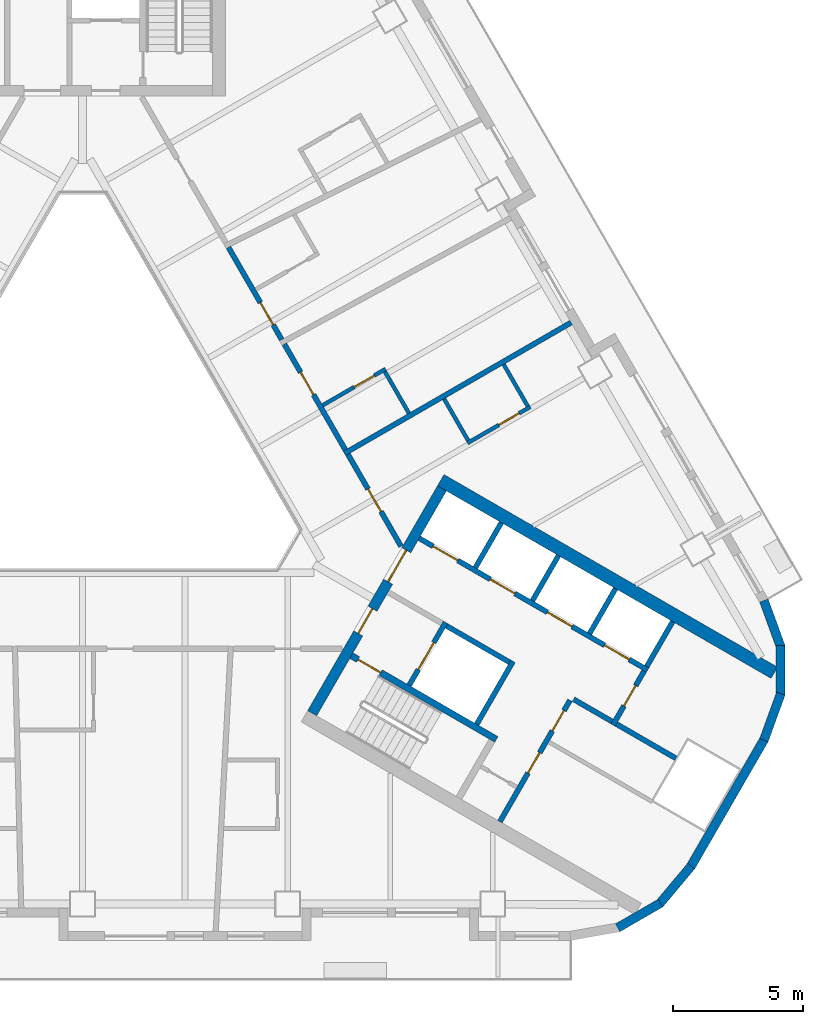
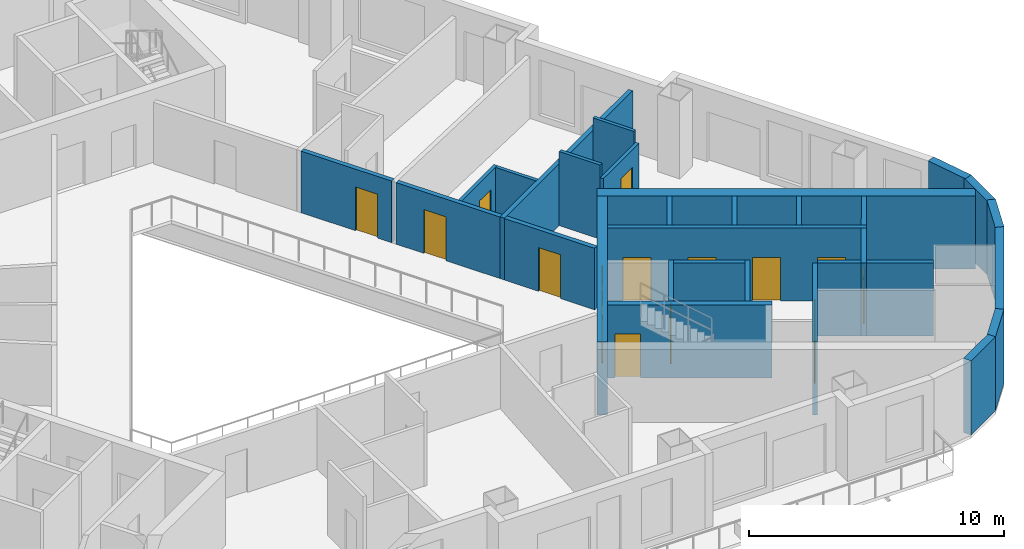
# One storey, part 5 of 13: 30 walls, 16 doors, 16 openings.
"""IFC4 building model written with IfcOpenShell, lengths in metres."""

from ifc_helpers import new_model, si_unit, direction, frame, frame_2d, origin, place, context, subcontext, project, spatial, rectangle, extrude, material, layer, layer_set, type_object, element, fill, save


model = new_model("IFC4")

# Units and contexts
model_context = context("Model", 3, precision=1e-05, world=origin(), true_north=direction((0.0, 1.0)))
body_context = subcontext(model_context, "Body", "Model", "MODEL_VIEW")
ifc_project = project(units=[si_unit("LENGTHUNIT", "METRE"), si_unit("AREAUNIT", "SQUARE_METRE"), si_unit("VOLUMEUNIT", "CUBIC_METRE"), si_unit("PLANEANGLEUNIT", "RADIAN"), si_unit("MASSUNIT", "GRAM", prefix="KILO")], contexts=[model_context])

# Site, building, storey
site_placement = place(None, origin())
site = spatial("IfcSite", under=ifc_project, at=site_placement, CompositionType="ELEMENT")
building_placement = place(site_placement, origin())
building = spatial("IfcBuilding", under=site, at=building_placement, Name="Apuvela Tower Hotel", CompositionType="ELEMENT")
storey_placement = place(building_placement, frame((0.0, 0.0, 79.800048828125)))
storey = spatial("IfcBuildingStorey", under=building, at=storey_placement, Name="L17", CompositionType="ELEMENT", Elevation=79.800048828125)

# Wall, openings, doors
ifc_material_1 = material(Name="Concrete C50/60", Category="concrete")
ifc_layer_1 = layer(ifc_material_1, 0.39990234375)
ifc_layer_set_1 = layer_set([ifc_layer_1], Name="COR-WALL-CORE-400")
wall_type_1 = type_object("IfcWallType", Name="COR-WALL-CORE-400", PredefinedType="SHEAR", material=ifc_layer_set_1)
wall_1_placement = place(storey_placement, frame((8.844970703125, -10.880126953125, 0.0), z_axis=(0.0, 0.0, 1.0), x_axis=(0.500004234368, 0.866022959057, 0.0)))
wall_1 = element("IfcWall", 1, at=wall_1_placement, inside=storey, type_object=wall_type_1, Name="Core wall SE", PredefinedType="SHEAR", context=body_context, shape_type="SweptSolid", body=[
    extrude(rectangle(XDim=10.0, YDim=0.39990234375, at=frame_2d((5.0, 0.0))), origin(), (0.0, 0.0, 1.0), 3.5),
])
opening_1_placement = place(wall_1_placement, frame((3.550048828125, 0.0, 0.0)))
opening_1 = element("IfcOpeningElement", 2, at=opening_1_placement, cuts=wall_1, Name="Opening E-FD", PredefinedType="OPENING", context=body_context, shape_type="SweptSolid", body=[
    extrude(rectangle(XDim=1.10009765625, YDim=2.10009765625, at=frame_2d((0.550048828125, 1.050048828125))), frame((0.0, 0.2099609375, 0.0), z_axis=(0.0, -1.0, 0.0), x_axis=(1.0, 0.0, 0.0)), (0.0, 0.0, 1.0), 0.419921875),
])
opening_2_placement = place(wall_1_placement, frame((5.85009765625, 0.0, 0.0)))
opening_2 = element("IfcOpeningElement", 3, at=opening_2_placement, cuts=wall_1, Name="Opening E-GD", PredefinedType="OPENING", context=body_context, shape_type="SweptSolid", body=[
    extrude(rectangle(XDim=1.39990234375, YDim=2.10009765625, at=frame_2d((0.699951171875, 1.050048828125))), frame((0.0, 0.2099609375, 0.0), z_axis=(0.0, -1.0, 0.0), x_axis=(1.0, 0.0, 0.0)), (0.0, 0.0, 1.0), 0.419921875),
])
ifc_material_2 = material(Name="Steel fire door, powder coated", Category="steel")
door_type_1 = type_object("IfcDoorType", Name="COR-FD-1100", OperationType="NOTDEFINED", PredefinedType="DOOR", material=ifc_material_2)
door_1_placement = place(opening_1_placement, frame((1.10009765625, 0.0, 0.0), z_axis=(0.0, 0.0, 1.0), x_axis=(-1.0, 0.0, 0.0)))
door_1 = element("IfcDoor", 4, at=door_1_placement, inside=storey, type_object=door_type_1, Name="Firefighting lobby door E-FD", OperationType="SINGLE_SWING_LEFT", OverallHeight=2.10009765625, OverallWidth=1.10009765625, PredefinedType="DOOR", context=body_context, shape_type="SweptSolid", body=[
    extrude(rectangle(XDim=1.10009765625, YDim=2.10009765625, at=frame_2d((0.550048828125, 1.050048828125))), frame((0.0, 0.02490234375, 0.0), z_axis=(0.0, -1.0, 0.0), x_axis=(1.0, 0.0, 0.0)), (0.0, 0.0, 1.0), 0.050048828125),
])
fill(opening_1, door_1)
ifc_material_3 = material(Name="Glazed steel fire door", Category="steel")
door_type_2 = type_object("IfcDoorType", Name="COR-GD-1400", OperationType="DOUBLE_DOOR_SINGLE_SWING", PredefinedType="DOOR", material=ifc_material_3)
door_2_placement = place(opening_2_placement, frame((1.39990234375, 0.0, 0.0), z_axis=(0.0, 0.0, 1.0), x_axis=(-1.0, 0.0, 0.0)))
door_2 = element("IfcDoor", 5, at=door_2_placement, inside=storey, type_object=door_type_2, Name="Lift lobby door E-GD", OperationType="DOUBLE_DOOR_SINGLE_SWING", OverallHeight=2.10009765625, OverallWidth=1.39990234375, PredefinedType="DOOR", context=body_context, shape_type="SweptSolid", body=[
    extrude(rectangle(XDim=1.39990234375, YDim=2.10009765625, at=frame_2d((0.699951171875, 1.050048828125))), frame((0.0, 0.02490234375, 0.0), z_axis=(0.0, -1.0, 0.0), x_axis=(1.0, 0.0, 0.0)), (0.0, 0.0, 1.0), 0.050048828125),
])
fill(opening_2, door_2)

# Wall
ifc_layer_2 = layer(ifc_material_1, 0.5)
ifc_layer_set_2 = layer_set([ifc_layer_2], Name="COR-WALL-CORE-500")
wall_type_2 = type_object("IfcWallType", Name="COR-WALL-CORE-500", PredefinedType="SHEAR", material=ifc_layer_set_2)
wall_2_placement = place(storey_placement, frame((13.796630859375, -1.9033203125, 0.0), z_axis=(0.0, 0.0, 1.0), x_axis=(0.866025009528, -0.500000682871, 0.0)))
element("IfcWall", 6, at=wall_2_placement, inside=storey, type_object=wall_type_2, Name="Core wall SE", PredefinedType="SHEAR", context=body_context, shape_type="SweptSolid", body=[
    extrude(rectangle(XDim=14.8369140625, YDim=0.5, at=frame_2d((7.41845703125, 0.0))), origin(), (0.0, 0.0, 1.0), 3.5),
])

# Wall, openings, doors
ifc_material_4 = material(Name="Blockwork 200 mm plastered", Category="masonry")
ifc_layer_3 = layer(ifc_material_4, 0.199951171875)
ifc_layer_set_3 = layer_set([ifc_layer_3], Name="COR-WALL-PART-200")
wall_type_3 = type_object("IfcWallType", Name="COR-WALL-PART-200", PredefinedType="PARTITIONING", material=ifc_layer_set_3)
wall_3_placement = place(storey_placement, frame((16.076171875, -15.05517578125, 0.0), z_axis=(0.0, 0.0, 1.0), x_axis=(0.499995103361, 0.866028230842, 0.0)))
wall_3 = element("IfcWall", 7, at=wall_3_placement, inside=storey, type_object=wall_type_3, Name="Partition SE", PredefinedType="PARTITIONING", context=body_context, shape_type="SweptSolid", body=[
    extrude(rectangle(XDim=5.39990234375, YDim=0.199951171875, at=frame_2d((2.699951171875, 0.0))), origin(), (0.0, 0.0, 1.0), 3.5),
])
opening_3_placement = place(wall_3_placement, frame((2.16259765625, 0.0, 0.0)))
opening_3 = element("IfcOpeningElement", 8, at=opening_3_placement, cuts=wall_3, Name="Opening E-RS1", PredefinedType="OPENING", context=body_context, shape_type="SweptSolid", body=[
    extrude(rectangle(XDim=0.89990234375, YDim=2.10009765625, at=frame_2d((0.449951171875, 1.050048828125))), frame((0.0, 0.10986328125, 0.0), z_axis=(0.0, -1.0, 0.0), x_axis=(1.0, 0.0, 0.0)), (0.0, 0.0, 1.0), 0.219970703125),
])
opening_4_placement = place(wall_3_placement, frame((4.03759765625, 0.0, 0.0)))
opening_4 = element("IfcOpeningElement", 9, at=opening_4_placement, cuts=wall_3, Name="Opening E-RS2", PredefinedType="OPENING", context=body_context, shape_type="SweptSolid", body=[
    extrude(rectangle(XDim=0.89990234375, YDim=2.10009765625, at=frame_2d((0.449951171875, 1.050048828125))), frame((0.0, 0.10986328125, 0.0), z_axis=(0.0, -1.0, 0.0), x_axis=(1.0, 0.0, 0.0)), (0.0, 0.0, 1.0), 0.219970703125),
])
door_type_3 = type_object("IfcDoorType", Name="COR-DR-900", OperationType="NOTDEFINED", PredefinedType="DOOR", material=ifc_material_2)
door_3_placement = place(opening_3_placement, frame((0.89990234375, 0.0, 0.0), z_axis=(0.0, 0.0, 1.0), x_axis=(-1.0, 0.0, 0.0)))
door_3 = element("IfcDoor", 10, at=door_3_placement, inside=storey, type_object=door_type_3, Name="Store door E-RS1", OperationType="SINGLE_SWING_LEFT", OverallHeight=2.10009765625, OverallWidth=0.89990234375, PredefinedType="DOOR", context=body_context, shape_type="SweptSolid", body=[
    extrude(rectangle(XDim=0.89990234375, YDim=2.10009765625, at=frame_2d((0.449951171875, 1.050048828125))), frame((0.0, 0.02490234375, 0.0), z_axis=(0.0, -1.0, 0.0), x_axis=(1.0, 0.0, 0.0)), (0.0, 0.0, 1.0), 0.050048828125),
])
fill(opening_3, door_3)
door_4_placement = place(opening_4_placement, frame((0.89990234375, 0.0, 0.0), z_axis=(0.0, 0.0, 1.0), x_axis=(-1.0, 0.0, 0.0)))
door_4 = element("IfcDoor", 11, at=door_4_placement, inside=storey, type_object=door_type_3, Name="Store door E-RS2", OperationType="SINGLE_SWING_LEFT", OverallHeight=2.10009765625, OverallWidth=0.89990234375, PredefinedType="DOOR", context=body_context, shape_type="SweptSolid", body=[
    extrude(rectangle(XDim=0.89990234375, YDim=2.10009765625, at=frame_2d((0.449951171875, 1.050048828125))), frame((0.0, 0.02490234375, 0.0), z_axis=(0.0, -1.0, 0.0), x_axis=(1.0, 0.0, 0.0)), (0.0, 0.0, 1.0), 0.050048828125),
])
fill(opening_4, door_4)

# Wall
ifc_layer_4 = layer(ifc_material_1, 0.199951171875)
ifc_layer_set_4 = layer_set([ifc_layer_4], Name="COR-WALL-SHAFT-200")
wall_type_4 = type_object("IfcWallType", Name="COR-WALL-SHAFT-200", PredefinedType="SHEAR", material=ifc_layer_set_4)
wall_4_placement = place(storey_placement, frame((15.181396484375, -11.305419921875, 0.0), z_axis=(0.0, 0.0, 1.0), x_axis=(0.49994636267, 0.866056369097, 0.0)))
element("IfcWall", 12, at=wall_4_placement, inside=storey, type_object=wall_type_4, Name="Shaft wall SE", PredefinedType="SHEAR", context=body_context, shape_type="SweptSolid", body=[
    extrude(rectangle(XDim=2.800048828125, YDim=0.199951171875, at=frame_2d((1.39990234375, 0.0))), origin(), (0.0, 0.0, 1.0), 3.5),
])

# Wall, opening, door
wall_5_placement = place(storey_placement, frame((12.583251953125, -9.805419921875, 0.0), z_axis=(0.0, 0.0, 1.0), x_axis=(0.49994636267, 0.866056369097, 0.0)))
wall_5 = element("IfcWall", 13, at=wall_5_placement, inside=storey, type_object=wall_type_4, Name="Shaft wall SE", PredefinedType="SHEAR", context=body_context, shape_type="SweptSolid", body=[
    extrude(rectangle(XDim=2.800048828125, YDim=0.199951171875, at=frame_2d((1.39990234375, 0.0))), origin(), (0.0, 0.0, 1.0), 3.5),
])
opening_5_placement = place(wall_5_placement, frame((0.699951171875, 0.0, 0.0)))
opening_5 = element("IfcOpeningElement", 14, at=opening_5_placement, cuts=wall_5, Name="Opening E-LD-FS3", PredefinedType="OPENING", context=body_context, shape_type="SweptSolid", body=[
    extrude(rectangle(XDim=1.199951171875, YDim=2.10009765625, at=frame_2d((0.60009765625, 1.050048828125))), frame((0.0, 0.10986328125, 0.0), z_axis=(0.0, -1.0, 0.0), x_axis=(1.0, 0.0, 0.0)), (0.0, 0.0, 1.0), 0.219970703125),
])
ifc_material_5 = material(Name="Stainless steel lift landing door", Category="steel")
door_type_4 = type_object("IfcDoorType", Name="COR-LD-1200", OperationType="DOUBLE_DOOR_SLIDING", PredefinedType="DOOR", material=ifc_material_5)
door_5_placement = place(opening_5_placement, origin())
door_5 = element("IfcDoor", 15, at=door_5_placement, inside=storey, type_object=door_type_4, Name="Lift landing door E-LD-FS3", OperationType="DOUBLE_DOOR_SLIDING", OverallHeight=2.10009765625, OverallWidth=1.199951171875, PredefinedType="DOOR", context=body_context, shape_type="SweptSolid", body=[
    extrude(rectangle(XDim=1.199951171875, YDim=2.10009765625, at=frame_2d((0.60009765625, 1.050048828125))), frame((0.0, 0.02490234375, 0.0), z_axis=(0.0, -1.0, 0.0), x_axis=(1.0, 0.0, 0.0)), (0.0, 0.0, 1.0), 0.050048828125),
])
fill(opening_5, door_5)

# Wall
wall_6_placement = place(storey_placement, frame((14.019775390625, -7.51708984375, 0.0), z_axis=(0.0, 0.0, 1.0), x_axis=(0.866034573852, -0.49998411664, 0.0)))
element("IfcWall", 16, at=wall_6_placement, inside=storey, type_object=wall_type_4, Name="Shaft wall SE", PredefinedType="SHEAR", context=body_context, shape_type="SweptSolid", body=[
    extrude(rectangle(XDim=2.7998046875, YDim=0.199951171875, at=frame_2d((1.39990234375, 0.0))), origin(), (0.0, 0.0, 1.0), 3.5),
])

# Wall, openings, doors
wall_7_placement = place(storey_placement, frame((12.968017578125, -4.138427734375, 0.0), z_axis=(0.0, 0.0, 1.0), x_axis=(0.866028328073, -0.49999493495, 0.0)))
wall_7 = element("IfcWall", 17, at=wall_7_placement, inside=storey, type_object=wall_type_4, Name="Shaft wall SE", PredefinedType="SHEAR", context=body_context, shape_type="SweptSolid", body=[
    extrude(rectangle(XDim=10.16015625, YDim=0.199951171875, at=frame_2d((5.080078125, 0.0))), origin(), (0.0, 0.0, 1.0), 3.5),
])
opening_6_placement = place(wall_7_placement, frame((0.6201171875, 0.0, 0.0)))
opening_6 = element("IfcOpeningElement", 18, at=opening_6_placement, cuts=wall_7, Name="Opening E-LD-LR1", PredefinedType="OPENING", context=body_context, shape_type="SweptSolid", body=[
    extrude(rectangle(XDim=1.10009765625, YDim=2.10009765625, at=frame_2d((0.550048828125, 1.050048828125))), frame((0.0, 0.10986328125, 0.0), z_axis=(0.0, -1.0, 0.0), x_axis=(1.0, 0.0, 0.0)), (0.0, 0.0, 1.0), 0.219970703125),
])
opening_7_placement = place(wall_7_placement, frame((3.159912109375, 0.0, 0.0)))
opening_7 = element("IfcOpeningElement", 19, at=opening_7_placement, cuts=wall_7, Name="Opening E-LD-LR2", PredefinedType="OPENING", context=body_context, shape_type="SweptSolid", body=[
    extrude(rectangle(XDim=1.10009765625, YDim=2.10009765625, at=frame_2d((0.550048828125, 1.050048828125))), frame((0.0, 0.10986328125, 0.0), z_axis=(0.0, -1.0, 0.0), x_axis=(1.0, 0.0, 0.0)), (0.0, 0.0, 1.0), 0.219970703125),
])
opening_8_placement = place(wall_7_placement, frame((5.699951171875, 0.0, 0.0)))
opening_8 = element("IfcOpeningElement", 20, at=opening_8_placement, cuts=wall_7, Name="Opening E-LD-LR3", PredefinedType="OPENING", context=body_context, shape_type="SweptSolid", body=[
    extrude(rectangle(XDim=1.10009765625, YDim=2.10009765625, at=frame_2d((0.550048828125, 1.050048828125))), frame((0.0, 0.10986328125, 0.0), z_axis=(0.0, -1.0, 0.0), x_axis=(1.0, 0.0, 0.0)), (0.0, 0.0, 1.0), 0.219970703125),
])
opening_9_placement = place(wall_7_placement, frame((8.239990234375, 0.0, 0.0)))
opening_9 = element("IfcOpeningElement", 21, at=opening_9_placement, cuts=wall_7, Name="Opening E-LD-LR4", PredefinedType="OPENING", context=body_context, shape_type="SweptSolid", body=[
    extrude(rectangle(XDim=1.10009765625, YDim=2.10009765625, at=frame_2d((0.550048828125, 1.050048828125))), frame((0.0, 0.10986328125, 0.0), z_axis=(0.0, -1.0, 0.0), x_axis=(1.0, 0.0, 0.0)), (0.0, 0.0, 1.0), 0.219970703125),
])
door_type_5 = type_object("IfcDoorType", Name="COR-LD-1100", OperationType="DOUBLE_DOOR_SLIDING", PredefinedType="DOOR", material=ifc_material_5)
door_6_placement = place(opening_6_placement, origin())
door_6 = element("IfcDoor", 22, at=door_6_placement, inside=storey, type_object=door_type_5, Name="Lift landing door E-LD-LR1", OperationType="DOUBLE_DOOR_SLIDING", OverallHeight=2.10009765625, OverallWidth=1.10009765625, PredefinedType="DOOR", context=body_context, shape_type="SweptSolid", body=[
    extrude(rectangle(XDim=1.10009765625, YDim=2.10009765625, at=frame_2d((0.550048828125, 1.050048828125))), frame((0.0, 0.02490234375, 0.0), z_axis=(0.0, -1.0, 0.0), x_axis=(1.0, 0.0, 0.0)), (0.0, 0.0, 1.0), 0.050048828125),
])
fill(opening_6, door_6)
door_7_placement = place(opening_7_placement, origin())
door_7 = element("IfcDoor", 23, at=door_7_placement, inside=storey, type_object=door_type_5, Name="Lift landing door E-LD-LR2", OperationType="DOUBLE_DOOR_SLIDING", OverallHeight=2.10009765625, OverallWidth=1.10009765625, PredefinedType="DOOR", context=body_context, shape_type="SweptSolid", body=[
    extrude(rectangle(XDim=1.10009765625, YDim=2.10009765625, at=frame_2d((0.550048828125, 1.050048828125))), frame((0.0, 0.02490234375, 0.0), z_axis=(0.0, -1.0, 0.0), x_axis=(1.0, 0.0, 0.0)), (0.0, 0.0, 1.0), 0.050048828125),
])
fill(opening_7, door_7)
door_8_placement = place(opening_8_placement, origin())
door_8 = element("IfcDoor", 24, at=door_8_placement, inside=storey, type_object=door_type_5, Name="Lift landing door E-LD-LR3", OperationType="DOUBLE_DOOR_SLIDING", OverallHeight=2.10009765625, OverallWidth=1.10009765625, PredefinedType="DOOR", context=body_context, shape_type="SweptSolid", body=[
    extrude(rectangle(XDim=1.10009765625, YDim=2.10009765625, at=frame_2d((0.550048828125, 1.050048828125))), frame((0.0, 0.02490234375, 0.0), z_axis=(0.0, -1.0, 0.0), x_axis=(1.0, 0.0, 0.0)), (0.0, 0.0, 1.0), 0.050048828125),
])
fill(opening_8, door_8)
door_9_placement = place(opening_9_placement, origin())
door_9 = element("IfcDoor", 25, at=door_9_placement, inside=storey, type_object=door_type_5, Name="Lift landing door E-LD-LR4", OperationType="DOUBLE_DOOR_SLIDING", OverallHeight=2.10009765625, OverallWidth=1.10009765625, PredefinedType="DOOR", context=body_context, shape_type="SweptSolid", body=[
    extrude(rectangle(XDim=1.10009765625, YDim=2.10009765625, at=frame_2d((0.550048828125, 1.050048828125))), frame((0.0, 0.02490234375, 0.0), z_axis=(0.0, -1.0, 0.0), x_axis=(1.0, 0.0, 0.0)), (0.0, 0.0, 1.0), 0.050048828125),
])
fill(opening_9, door_9)

# Wall, opening, door
wall_8_placement = place(storey_placement, frame((20.430419921875, -11.33349609375, 0.0), z_axis=(0.0, 0.0, 1.0), x_axis=(0.500001309137, 0.866024647952, 0.0)))
wall_8 = element("IfcWall", 26, at=wall_8_placement, inside=storey, type_object=wall_type_4, Name="Shaft wall SE", PredefinedType="SHEAR", context=body_context, shape_type="SweptSolid", body=[
    extrude(rectangle(XDim=2.39990234375, YDim=0.199951171875, at=frame_2d((1.199951171875, 0.0))), origin(), (0.0, 0.0, 1.0), 3.5),
])
opening_10_placement = place(wall_8_placement, frame((0.85009765625, 0.0, 0.0)))
opening_10 = element("IfcOpeningElement", 27, at=opening_10_placement, cuts=wall_8, Name="Opening E-REP", PredefinedType="OPENING", context=body_context, shape_type="SweptSolid", body=[
    extrude(rectangle(XDim=0.89990234375, YDim=2.10009765625, at=frame_2d((0.449951171875, 1.050048828125))), frame((0.0, 0.10986328125, 0.0), z_axis=(0.0, -1.0, 0.0), x_axis=(1.0, 0.0, 0.0)), (0.0, 0.0, 1.0), 0.219970703125),
])
door_10_placement = place(opening_10_placement, frame((0.89990234375, 0.0, 0.0), z_axis=(0.0, 0.0, 1.0), x_axis=(-1.0, 0.0, 0.0)))
door_10 = element("IfcDoor", 28, at=door_10_placement, inside=storey, type_object=door_type_3, Name="Store door E-REP", OperationType="SINGLE_SWING_RIGHT", OverallHeight=2.10009765625, OverallWidth=0.89990234375, PredefinedType="DOOR", context=body_context, shape_type="SweptSolid", body=[
    extrude(rectangle(XDim=0.89990234375, YDim=2.10009765625, at=frame_2d((0.449951171875, 1.050048828125))), frame((0.0, 0.02490234375, 0.0), z_axis=(0.0, -1.0, 0.0), x_axis=(1.0, 0.0, 0.0)), (0.0, 0.0, 1.0), 0.050048828125),
])
fill(opening_10, door_10)

# Walls
wall_9_placement = place(storey_placement, frame((18.912841796875, -10.342041015625, 0.0), z_axis=(0.0, 0.0, 1.0), x_axis=(0.866038183914, -0.499977863513, 0.0)))
element("IfcWall", 29, at=wall_9_placement, inside=storey, type_object=wall_type_4, Name="Shaft wall SE", PredefinedType="SHEAR", context=body_context, shape_type="SweptSolid", body=[
    extrude(rectangle(XDim=1.7099609375, YDim=0.199951171875, at=frame_2d((0.85498046875, 0.0))), origin(), (0.0, 0.0, 1.0), 3.5),
])
for number, where, z_axis, x_axis, name in (
    (30, (15.131103515625, -5.27197265625, 0.0), (0.0, 0.0, 1.0), (0.499972520799, 0.866041268327, 0.0), "Shaft wall SE"),
    (31, (17.330810546875, -6.5419921875, 0.0), (0.0, 0.0, 1.0), (0.499972520799, 0.866041268327, 0.0), "Shaft wall SE"),
    (32, (19.530517578125, -7.81201171875, 0.0), (0.0, 0.0, 1.0), (0.499972520799, 0.866041268327, 0.0), "Shaft wall SE"),
    (33, (21.73046875, -9.081787109375, 0.0), (0.0, 0.0, 1.0), (0.50002537861, 0.866010750942, 0.0), "Shaft wall SE"),
):
    element("IfcWall", number, at=place(storey_placement, frame(where, z_axis=z_axis, x_axis=x_axis)), inside=storey, type_object=wall_type_4, Name=name, PredefinedType="SHEAR", context=body_context, shape_type="SweptSolid", body=[
        extrude(rectangle(XDim=2.0, YDim=0.199951171875, at=frame_2d((1.0, 0.0))), origin(), (0.0, 0.0, 1.0), 3.5),
    ])
wall_10_placement = place(storey_placement, frame((20.56689453125, -11.297119140625, 0.0), z_axis=(0.0, 0.0, 1.0), x_axis=(0.866060851709, -0.499938597367, 0.0)))
element("IfcWall", 34, at=wall_10_placement, inside=storey, type_object=wall_type_4, Name="Shaft wall SE", PredefinedType="SHEAR", context=body_context, shape_type="SweptSolid", body=[
    extrude(rectangle(XDim=2.639892578125, YDim=0.199951171875, at=frame_2d((1.31982421875, 0.0))), origin(), (0.0, 0.0, 1.0), 3.5),
])

# Wall, opening, door
ifc_layer_5 = layer(ifc_material_1, 0.25)
ifc_layer_set_5 = layer_set([ifc_layer_5], Name="COR-WALL-STAIR-250")
wall_type_5 = type_object("IfcWallType", Name="COR-WALL-STAIR-250", PredefinedType="SHEAR", material=ifc_layer_set_5)
wall_11_placement = place(storey_placement, frame((10.355712890625, -8.66357421875, 0.0), z_axis=(0.0, 0.0, 1.0), x_axis=(0.866028629588, -0.499994412703, 0.0)))
wall_11 = element("IfcWall", 35, at=wall_11_placement, inside=storey, type_object=wall_type_5, Name="Stair wall SE", PredefinedType="SHEAR", context=body_context, shape_type="SweptSolid", body=[
    extrude(rectangle(XDim=6.44970703125, YDim=0.25, at=frame_2d((3.224853515625, 0.0))), origin(), (0.0, 0.0, 1.0), 3.5),
])
opening_11_placement = place(wall_11_placement, frame((0.300048828125, 0.0, 0.0)))
opening_11 = element("IfcOpeningElement", 36, at=opening_11_placement, cuts=wall_11, Name="Opening E-SD", PredefinedType="OPENING", context=body_context, shape_type="SweptSolid", body=[
    extrude(rectangle(XDim=1.0, YDim=2.10009765625, at=frame_2d((0.5, 1.050048828125))), frame((0.0, 0.135009765625, 0.0), z_axis=(0.0, -1.0, 0.0), x_axis=(1.0, 0.0, 0.0)), (0.0, 0.0, 1.0), 0.27001953125),
])
door_type_6 = type_object("IfcDoorType", Name="COR-SD-1000", OperationType="NOTDEFINED", PredefinedType="DOOR", material=ifc_material_2)
door_11_placement = place(opening_11_placement, frame((1.0, 0.0, 0.0), z_axis=(0.0, 0.0, 1.0), x_axis=(-1.0, 0.0, 0.0)))
door_11 = element("IfcDoor", 37, at=door_11_placement, inside=storey, type_object=door_type_6, Name="Stair door E-SD", OperationType="SINGLE_SWING_LEFT", OverallHeight=2.10009765625, OverallWidth=1.0, PredefinedType="DOOR", context=body_context, shape_type="SweptSolid", body=[
    extrude(rectangle(XDim=1.0, YDim=2.10009765625, at=frame_2d((0.5, 1.050048828125))), frame((0.0, 0.02490234375, 0.0), z_axis=(0.0, -1.0, 0.0), x_axis=(1.0, 0.0, 0.0)), (0.0, 0.0, 1.0), 0.050048828125),
])
fill(opening_11, door_11)

# Walls
ifc_material_6 = material(Name="Concrete C40/50, dark pigmented precast panel", Category="concrete")
ifc_layer_6 = layer(ifc_material_6, 0.35009765625)
ifc_layer_set_6 = layer_set([ifc_layer_6], Name="ENV-WALL-350")
wall_type_6 = type_object("IfcWallType", Name="ENV-WALL-350", PredefinedType="SOLIDWALL", material=ifc_layer_set_6)
for number, where, z_axis, x_axis, name in (
    (38, (20.609619140625, -19.146728515625, 0.0), (0.0, 0.0, 1.0), (0.866000389056, 0.500043324278, 0.0), "External wall L17-27"),
    (39, (22.21728515625, -18.230712890625, 0.0), (0.0, 0.0, 1.0), (0.642733291068, 0.76609001857, 0.0), "External wall L17-28"),
):
    element("IfcWall", number, at=place(storey_placement, frame(where, z_axis=z_axis, x_axis=x_axis)), inside=storey, type_object=wall_type_6, Name=name, PredefinedType="SOLIDWALL", context=body_context, shape_type="SweptSolid", body=[
        extrude(rectangle(XDim=1.909912109375, YDim=0.35009765625, at=frame_2d((0.955078125, 0.0))), origin(), (0.0, 0.0, 1.0), 3.550048828125),
    ])
wall_12_placement = place(storey_placement, frame((23.427490234375, -16.79248046875, 0.0), z_axis=(0.0, 0.0, 1.0), x_axis=(0.500018773155, 0.866014564827, 0.0)))
element("IfcWall", 40, at=wall_12_placement, inside=storey, type_object=wall_type_6, Name="External wall L17-29", PredefinedType="SOLIDWALL", context=body_context, shape_type="SweptSolid", body=[
    extrude(rectangle(XDim=5.657958984375, YDim=0.35009765625, at=frame_2d((2.8291015625, 0.0))), origin(), (0.0, 0.0, 1.0), 3.550048828125),
])
for number, where, z_axis, x_axis, name in (
    (41, (26.24365234375, -11.920166015625, 0.0), (0.0, 0.0, 1.0), (0.342030395486, 0.939688889242, 0.0), "External wall L17-30"),
    (42, (26.88623046875, -10.18505859375, 0.0), (0.0, 0.0, 1.0), (0.0, 1.0, 0.0), "External wall L17-31"),
    (43, (26.89697265625, -8.334716796875, 0.0), (0.0, 0.0, 1.0), (-0.342030395486, 0.939688889242, 0.0), "External wall L17-32"),
):
    element("IfcWall", number, at=place(storey_placement, frame(where, z_axis=z_axis, x_axis=x_axis)), inside=storey, type_object=wall_type_6, Name=name, PredefinedType="SOLIDWALL", context=body_context, shape_type="SweptSolid", body=[
        extrude(rectangle(XDim=1.91015625, YDim=0.35009765625, at=frame_2d((0.955078125, 0.0))), origin(), (0.0, 0.0, 1.0), 3.550048828125),
    ])
ifc_material_7 = material(Name="Gypsum board partition on twin steel stud", Category="steel")
ifc_layer_7 = layer(ifc_material_7, 0.199951171875)
ifc_layer_set_7 = layer_set([ifc_layer_7], Name="GST-PW1")
wall_type_7 = type_object("IfcWallType", Name="GST-PW1", PredefinedType="PARTITIONING", material=ifc_layer_set_7)
wall_13_placement = place(storey_placement, frame((18.817626953125, 4.1669921875, 0.0), z_axis=(0.0, 0.0, 1.0), x_axis=(-0.866039179741, -0.499976138585, 0.0)))
element("IfcWall", 44, at=wall_13_placement, inside=storey, type_object=wall_type_7, Name="L17 partition 03", PredefinedType="PARTITIONING", context=body_context, shape_type="SweptSolid", body=[
    extrude(rectangle(XDim=10.080078125, YDim=0.199951171875, at=frame_2d((5.0400390625, 0.0))), origin(), (0.0, 0.0, 1.0), 2.9599609375),
])

# Wall, opening, door
ifc_material_8 = material(Name="Gypsum board corridor wall on twin steel stud, acoustic", Category="steel")
ifc_layer_8 = layer(ifc_material_8, 0.199951171875)
ifc_layer_set_8 = layer_set([ifc_layer_8], Name="GST-PW2")
wall_type_8 = type_object("IfcWallType", Name="GST-PW2", PredefinedType="PARTITIONING", material=ifc_layer_set_8)
wall_14_placement = place(storey_placement, frame((10.224609375, -0.909423828125, 0.0), z_axis=(0.0, 0.0, 1.0), x_axis=(0.500011931275, -0.86601851515, 0.0)))
wall_14 = element("IfcWall", 45, at=wall_14_placement, inside=storey, type_object=wall_type_8, Name="L17 partition 19", PredefinedType="PARTITIONING", context=body_context, shape_type="SweptSolid", body=[
    extrude(rectangle(XDim=4.08837890625, YDim=0.199951171875, at=frame_2d((2.044189453125, 0.0))), origin(), (0.0, 0.0, 1.0), 2.949951171875),
])
opening_12_placement = place(wall_14_placement, frame((1.544189453125, 0.0, 0.0)))
opening_12 = element("IfcOpeningElement", 46, at=opening_12_placement, cuts=wall_14, Name="Opening GD05-08", PredefinedType="OPENING", context=body_context, shape_type="SweptSolid", body=[
    extrude(rectangle(XDim=1.0, YDim=2.10009765625, at=frame_2d((0.5, 1.050048828125))), frame((0.0, 0.10986328125, 0.0), z_axis=(0.0, -1.0, 0.0), x_axis=(1.0, 0.0, 0.0)), (0.0, 0.0, 1.0), 0.219970703125),
])
ifc_material_9 = material(Name="Timber door leaf in steel frame", Category="steel")
door_type_7 = type_object("IfcDoorType", Name="GST-D1", OperationType="NOTDEFINED", PredefinedType="DOOR", material=ifc_material_9)
door_12_placement = place(opening_12_placement, origin())
door_12 = element("IfcDoor", 47, at=door_12_placement, inside=storey, type_object=door_type_7, Name="Door L17-08", OperationType="SINGLE_SWING_LEFT", OverallHeight=2.10009765625, OverallWidth=1.0, PredefinedType="DOOR", context=body_context, shape_type="SweptSolid", body=[
    extrude(rectangle(XDim=1.0, YDim=2.10009765625, at=frame_2d((0.5, 1.050048828125))), frame((0.0, 0.02490234375, 0.0), z_axis=(0.0, -1.0, 0.0), x_axis=(1.0, 0.0, 0.0)), (0.0, 0.0, 1.0), 0.050048828125),
])
fill(opening_12, door_12)

wall_15_placement = place(storey_placement, frame((7.7734375, 3.336181640625, 0.0), z_axis=(0.0, 0.0, 1.0), x_axis=(0.499969633922, -0.866042934938, 0.0)))
wall_15 = element("IfcWall", 48, at=wall_15_placement, inside=storey, type_object=wall_type_8, Name="L17 partition 23", PredefinedType="PARTITIONING", context=body_context, shape_type="SweptSolid", body=[
    extrude(rectangle(XDim=4.702392578125, YDim=0.199951171875, at=frame_2d((2.35107421875, 0.0))), origin(), (0.0, 0.0, 1.0), 2.949951171875),
])
opening_13_placement = place(wall_15_placement, frame((1.25244140625, 0.0, 0.0)))
opening_13 = element("IfcOpeningElement", 49, at=opening_13_placement, cuts=wall_15, Name="Opening GD05-10", PredefinedType="OPENING", context=body_context, shape_type="SweptSolid", body=[
    extrude(rectangle(XDim=1.0, YDim=2.10009765625, at=frame_2d((0.5, 1.050048828125))), frame((0.0, 0.10986328125, 0.0), z_axis=(0.0, -1.0, 0.0), x_axis=(1.0, 0.0, 0.0)), (0.0, 0.0, 1.0), 0.219970703125),
])
door_13_placement = place(opening_13_placement, origin())
door_13 = element("IfcDoor", 50, at=door_13_placement, inside=storey, type_object=door_type_7, Name="Door L17-10", OperationType="SINGLE_SWING_LEFT", OverallHeight=2.10009765625, OverallWidth=1.0, PredefinedType="DOOR", context=body_context, shape_type="SweptSolid", body=[
    extrude(rectangle(XDim=1.0, YDim=2.10009765625, at=frame_2d((0.5, 1.050048828125))), frame((0.0, 0.02490234375, 0.0), z_axis=(0.0, -1.0, 0.0), x_axis=(1.0, 0.0, 0.0)), (0.0, 0.0, 1.0), 0.050048828125),
])
fill(opening_13, door_13)

wall_16_placement = place(storey_placement, frame((5.62158203125, 7.063232421875, 0.0), z_axis=(0.0, 0.0, 1.0), x_axis=(0.500003992843, -0.866023098503, 0.0)))
wall_16 = element("IfcWall", 51, at=wall_16_placement, inside=storey, type_object=wall_type_8, Name="L17 partition 26", PredefinedType="PARTITIONING", context=body_context, shape_type="SweptSolid", body=[
    extrude(rectangle(XDim=4.103515625, YDim=0.199951171875, at=frame_2d((2.0517578125, 0.0))), origin(), (0.0, 0.0, 1.0), 2.949951171875),
])
opening_14_placement = place(wall_16_placement, frame((2.456298828125, 0.0, 0.0)))
opening_14 = element("IfcOpeningElement", 52, at=opening_14_placement, cuts=wall_16, Name="Opening GD05-12", PredefinedType="OPENING", context=body_context, shape_type="SweptSolid", body=[
    extrude(rectangle(XDim=1.0, YDim=2.10009765625, at=frame_2d((0.5, 1.050048828125))), frame((0.0, 0.10986328125, 0.0), z_axis=(0.0, -1.0, 0.0), x_axis=(1.0, 0.0, 0.0)), (0.0, 0.0, 1.0), 0.219970703125),
])
door_14_placement = place(opening_14_placement, origin())
door_14 = element("IfcDoor", 53, at=door_14_placement, inside=storey, type_object=door_type_7, Name="Door L17-12", OperationType="SINGLE_SWING_RIGHT", OverallHeight=2.10009765625, OverallWidth=1.0, PredefinedType="DOOR", context=body_context, shape_type="SweptSolid", body=[
    extrude(rectangle(XDim=1.0, YDim=2.10009765625, at=frame_2d((0.5, 1.050048828125))), frame((0.0, 0.02490234375, 0.0), z_axis=(0.0, -1.0, 0.0), x_axis=(1.0, 0.0, 0.0)), (0.0, 0.0, 1.0), 0.050048828125),
])
fill(opening_14, door_14)

ifc_material_10 = material(Name="Moisture-resistant gypsum board wet wall on steel stud", Category="steel")
ifc_layer_9 = layer(ifc_material_10, 0.14990234375)
ifc_layer_set_9 = layer_set([ifc_layer_9], Name="GST-PW3")
wall_type_9 = type_object("IfcWallType", Name="GST-PW3", PredefinedType="PARTITIONING", material=ifc_layer_set_9)
wall_17_placement = place(storey_placement, frame((14.824462890625, -0.4765625, 0.0), z_axis=(0.0, 0.0, 1.0), x_axis=(0.866034573852, 0.49998411664, 0.0)))
wall_17 = element("IfcWall", 54, at=wall_17_placement, inside=storey, type_object=wall_type_9, Name="L17 partition 20", PredefinedType="PARTITIONING", context=body_context, shape_type="SweptSolid", body=[
    extrude(rectangle(XDim=2.7998046875, YDim=0.14990234375, at=frame_2d((1.39990234375, 0.0))), origin(), (0.0, 0.0, 1.0), 2.949951171875),
])
opening_15_placement = place(wall_17_placement, frame((1.39990234375, 0.0, 0.0)))
opening_15 = element("IfcOpeningElement", 55, at=opening_15_placement, cuts=wall_17, Name="Opening GD05-07", PredefinedType="OPENING", context=body_context, shape_type="SweptSolid", body=[
    extrude(rectangle(XDim=0.89990234375, YDim=2.10009765625, at=frame_2d((0.449951171875, 1.050048828125))), frame((0.0, 0.0849609375, 0.0), z_axis=(0.0, -1.0, 0.0), x_axis=(1.0, 0.0, 0.0)), (0.0, 0.0, 1.0), 0.169921875),
])
door_type_8 = type_object("IfcDoorType", Name="GST-D2", OperationType="NOTDEFINED", PredefinedType="DOOR", material=ifc_material_9)
door_15_placement = place(opening_15_placement, origin())
door_15 = element("IfcDoor", 56, at=door_15_placement, inside=storey, type_object=door_type_8, Name="Door L17-07", OperationType="SINGLE_SWING_RIGHT", OverallHeight=2.10009765625, OverallWidth=0.89990234375, PredefinedType="DOOR", context=body_context, shape_type="SweptSolid", body=[
    extrude(rectangle(XDim=0.89990234375, YDim=2.10009765625, at=frame_2d((0.449951171875, 1.050048828125))), frame((0.0, 0.02490234375, 0.0), z_axis=(0.0, -1.0, 0.0), x_axis=(1.0, 0.0, 0.0)), (0.0, 0.0, 1.0), 0.050048828125),
])
fill(opening_15, door_15)

# Walls
for number, where, z_axis, x_axis, name in (
    (57, (17.146728515625, 0.95068359375, 0.0), (0.0, 0.0, 1.0), (-0.499985172903, 0.866033964044, 0.0), "L17 partition 21"),
    (58, (14.851806640625, -0.374267578125, 0.0), (0.0, 0.0, 1.0), (-0.499886193382, 0.866091100096, 0.0), "L17 partition 22"),
):
    element("IfcWall", number, at=place(storey_placement, frame(where, z_axis=z_axis, x_axis=x_axis)), inside=storey, type_object=wall_type_9, Name=name, PredefinedType="PARTITIONING", context=body_context, shape_type="SweptSolid", body=[
        extrude(rectangle(XDim=1.85009765625, YDim=0.14990234375, at=frame_2d((0.925048828125, 0.0))), origin(), (0.0, 0.0, 1.0), 3.550048828125),
    ])

# Wall, opening, door
wall_18_placement = place(storey_placement, frame((11.673583984375, 2.380859375, 0.0), z_axis=(0.0, 0.0, 1.0), x_axis=(-0.865996816683, -0.500049511043, 0.0)))
wall_18 = element("IfcWall", 59, at=wall_18_placement, inside=storey, type_object=wall_type_9, Name="L17 partition 24", PredefinedType="PARTITIONING", context=body_context, shape_type="SweptSolid", body=[
    extrude(rectangle(XDim=2.800048828125, YDim=0.14990234375, at=frame_2d((1.39990234375, 0.0))), origin(), (0.0, 0.0, 1.0), 2.949951171875),
])
opening_16_placement = place(wall_18_placement, frame((0.5, 0.0, 0.0)))
opening_16 = element("IfcOpeningElement", 60, at=opening_16_placement, cuts=wall_18, Name="Opening GD05-09", PredefinedType="OPENING", context=body_context, shape_type="SweptSolid", body=[
    extrude(rectangle(XDim=0.89990234375, YDim=2.10009765625, at=frame_2d((0.449951171875, 1.050048828125))), frame((0.0, 0.0849609375, 0.0), z_axis=(0.0, -1.0, 0.0), x_axis=(1.0, 0.0, 0.0)), (0.0, 0.0, 1.0), 0.169921875),
])
door_16_placement = place(opening_16_placement, origin())
door_16 = element("IfcDoor", 61, at=door_16_placement, inside=storey, type_object=door_type_8, Name="Door L17-09", OperationType="SINGLE_SWING_LEFT", OverallHeight=2.10009765625, OverallWidth=0.89990234375, PredefinedType="DOOR", context=body_context, shape_type="SweptSolid", body=[
    extrude(rectangle(XDim=0.89990234375, YDim=2.10009765625, at=frame_2d((0.449951171875, 1.050048828125))), frame((0.0, 0.02490234375, 0.0), z_axis=(0.0, -1.0, 0.0), x_axis=(1.0, 0.0, 0.0)), (0.0, 0.0, 1.0), 0.050048828125),
])
fill(opening_16, door_16)

# Wall
wall_19_placement = place(storey_placement, frame((12.571044921875, 0.67626953125, 0.0), z_axis=(0.0, 0.0, 1.0), x_axis=(-0.500042316284, 0.866000971088, 0.0)))
element("IfcWall", 62, at=wall_19_placement, inside=storey, type_object=wall_type_9, Name="L17 partition 25", PredefinedType="PARTITIONING", context=body_context, shape_type="SweptSolid", body=[
    extrude(rectangle(XDim=1.849853515625, YDim=0.14990234375, at=frame_2d((0.9248046875, 0.0))), origin(), (0.0, 0.0, 1.0), 2.949951171875),
])

save(model, "model.ifc")
